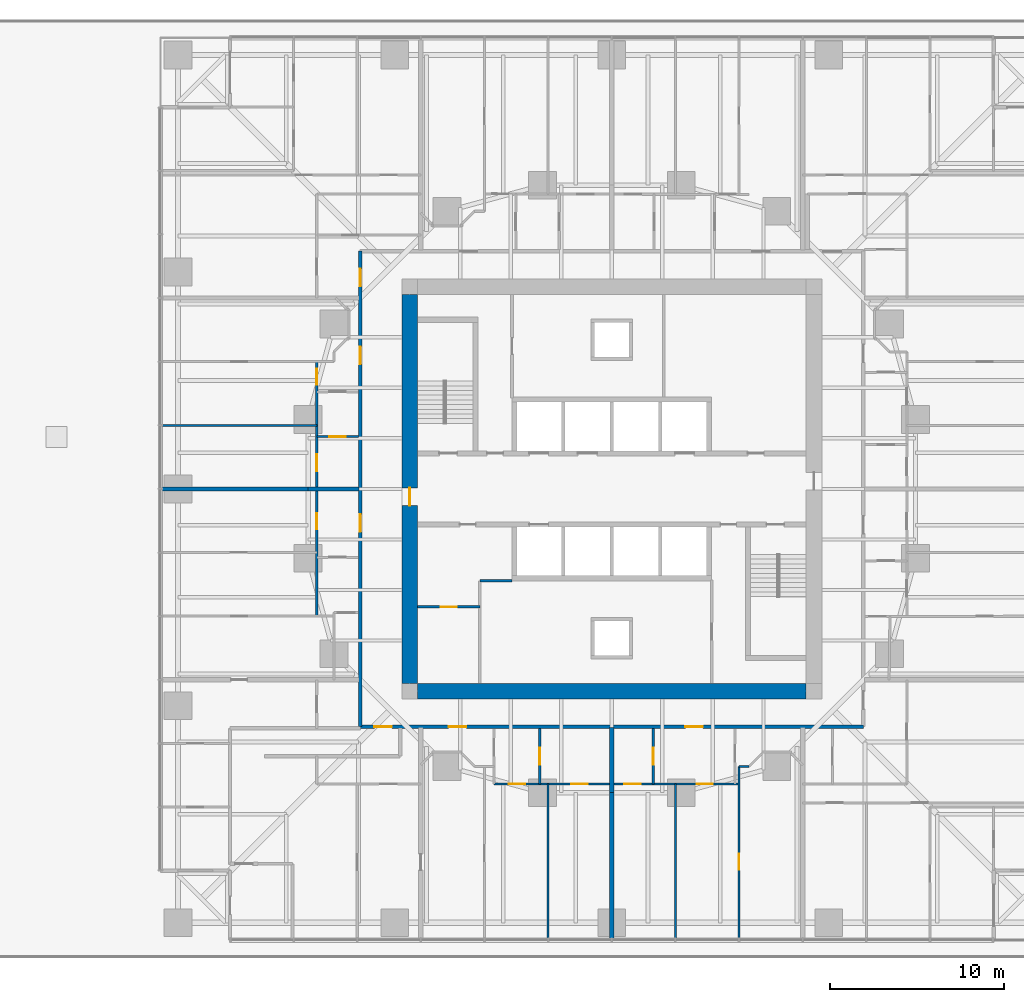
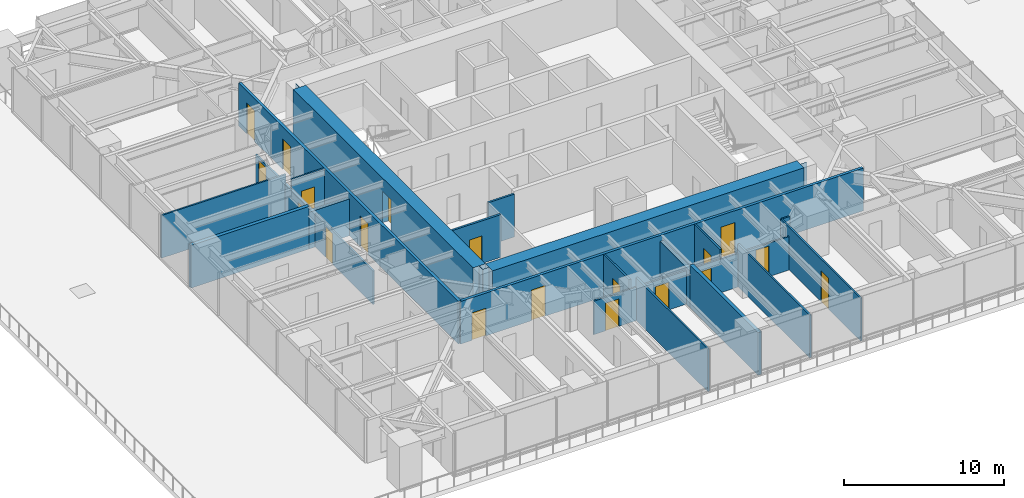
# One storey, part 8 of 15: 20 walls, 19 doors, 19 openings.
"""IFC4 building model written with IfcOpenShell, lengths in metres."""

from ifc_helpers import new_model, si_unit, direction, frame, frame_2d, origin, place, context, subcontext, project, spatial, polyline, rectangle, outline, extrude, material, layer, layer_set, type_object, element, fill, save


model = new_model("IFC4")

# Units and contexts
model_context = context("Model", 3, precision=1e-05, world=origin(), true_north=direction((0.0, 1.0)))
body_context = subcontext(model_context, "Body", "Model", "MODEL_VIEW")
ifc_project = project(units=[si_unit("LENGTHUNIT", "METRE"), si_unit("AREAUNIT", "SQUARE_METRE"), si_unit("VOLUMEUNIT", "CUBIC_METRE"), si_unit("PLANEANGLEUNIT", "RADIAN"), si_unit("MASSUNIT", "GRAM", prefix="KILO")], contexts=[model_context])

# Site, building, storey
site_placement = place(None, origin())
site = spatial("IfcSite", under=ifc_project, at=site_placement, CompositionType="ELEMENT")
building_placement = place(site_placement, origin())
building = spatial("IfcBuilding", under=site, at=building_placement, Name="Torsade Residences", CompositionType="ELEMENT")
storey_placement = place(building_placement, frame((0.0, 0.0, 15.0)))
storey = spatial("IfcBuildingStorey", under=building, at=storey_placement, Name="L03", CompositionType="ELEMENT", Elevation=15.0)

# Wall
ifc_material_1 = material(Name="Concrete 80 MPa", Category="concrete")
ifc_layer_1 = layer(ifc_material_1, 0.89990234375)
ifc_layer_set_1 = layer_set([ifc_layer_1], Name="Concrete 80 MPa")
wall_type_1 = type_object("IfcWallType", Name="CORE WALL 900", PredefinedType="SHEAR", material=ifc_layer_set_1)
wall_1_placement = place(storey_placement, frame((51.199951171875, 18.35009765625, 0.0), z_axis=(0.0, 0.0, 1.0), x_axis=(-1.0, 0.0, 0.0)))
element("IfcWall", 1, at=wall_1_placement, inside=storey, type_object=wall_type_1, Name="Core wall S L03", PredefinedType="SHEAR", context=body_context, shape_type="SweptSolid", body=[
    extrude(outline(polyline([(0.0, -0.449951171875), (22.39990234375, -0.449951171875), (22.39990234375, -0.02490234375), (22.849853515625, -0.02490234375), (22.849853515625, 0.02490234375), (22.39990234375, 0.02490234375), (22.39990234375, 0.449951171875), (0.0, 0.449951171875), (0.0, 0.02490234375), (-0.449951171875, 0.02490234375), (-0.449951171875, -0.02490234375), (0.0, -0.02490234375), (0.0, -0.449951171875)])), origin(), (0.0, 0.0, 1.0), 3.39990234375),
])

# Wall, opening, door
wall_2_placement = place(storey_placement, frame((28.35009765625, 41.199951171875, 0.0), z_axis=(0.0, 0.0, 1.0), x_axis=(0.0, -1.0, 0.0)))
wall_2 = element("IfcWall", 2, at=wall_2_placement, inside=storey, type_object=wall_type_1, Name="Core wall W L03", PredefinedType="SHEAR", context=body_context, shape_type="SweptSolid", body=[
    extrude(outline(polyline([(0.0, -0.449951171875), (22.39990234375, -0.449951171875), (22.39990234375, -0.02490234375), (22.849853515625, -0.02490234375), (22.849853515625, 0.02490234375), (22.39990234375, 0.02490234375), (22.39990234375, 0.449951171875), (0.0, 0.449951171875), (0.0, 0.02490234375), (-0.449951171875, 0.02490234375), (-0.449951171875, -0.02490234375), (0.0, -0.02490234375), (0.0, -0.449951171875)])), origin(), (0.0, 0.0, 1.0), 3.39990234375),
])
opening_1_placement = place(wall_2_placement, frame((11.139892578125, 0.0, 0.0)))
opening_1 = element("IfcOpeningElement", 3, at=opening_1_placement, cuts=wall_2, Name="Opening D04", PredefinedType="OPENING", context=body_context, shape_type="SweptSolid", body=[
    extrude(rectangle(XDim=1.02001953125, YDim=2.39990234375, at=frame_2d((0.510009765625, 1.199951171875))), frame((0.0, 0.4599609375, 0.0), z_axis=(0.0, -1.0, 0.0), x_axis=(1.0, 0.0, 0.0)), (0.0, 0.0, 1.0), 0.919921875),
])
ifc_material_2 = material(Name="Steel-framed fire door", Category="steel")
door_type_1 = type_object("IfcDoorType", Name="LOBBY SMOKE DOOR 1020x2400", OperationType="NOTDEFINED", PredefinedType="DOOR", material=ifc_material_2)
door_1_placement = place(opening_1_placement, origin())
door_1 = element("IfcDoor", 4, at=door_1_placement, inside=storey, type_object=door_type_1, Name="Lift lobby door W L03", OperationType="SINGLE_SWING_RIGHT", OverallHeight=2.39990234375, OverallWidth=1.02001953125, PredefinedType="DOOR", context=body_context, shape_type="SweptSolid", body=[
    extrude(rectangle(XDim=1.02001953125, YDim=2.39990234375, at=frame_2d((0.510009765625, 1.199951171875))), frame((0.0, 0.02490234375, 0.0), z_axis=(0.0, -1.0, 0.0), x_axis=(1.0, 0.0, 0.0)), (0.0, 0.0, 1.0), 0.050048828125),
])
fill(opening_1, door_1)

# Wall, openings, doors
ifc_material_3 = material(Name="Plasterboard on steel stud", Category="steel")
ifc_layer_2 = layer(ifc_material_3, 0.199951171875)
ifc_layer_set_2 = layer_set([ifc_layer_2], Name="Plasterboard on steel stud")
wall_type_2 = type_object("IfcWallType", Name="CORRIDOR WALL 200", PredefinedType="PARTITIONING", material=ifc_layer_set_2)
wall_3_placement = place(storey_placement, frame((25.5, 16.300048828125, 0.0), z_axis=(0.0, 0.0, 1.0), x_axis=(1.0, 0.0, 0.0)))
wall_3 = element("IfcWall", 5, at=wall_3_placement, inside=storey, type_object=wall_type_2, Name="Corridor wall L03", PredefinedType="PARTITIONING", context=body_context, shape_type="SweptSolid", body=[
    extrude(rectangle(XDim=29.0, YDim=0.199951171875, at=frame_2d((14.5, 0.0))), origin(), (0.0, 0.0, 1.0), 3.25),
])
opening_2_placement = place(wall_3_placement, frame((18.734130859375, 0.0, 0.0)))
opening_2 = element("IfcOpeningElement", 6, at=opening_2_placement, cuts=wall_3, Name="Opening D01", PredefinedType="OPENING", context=body_context, shape_type="SweptSolid", body=[
    extrude(rectangle(XDim=1.02001953125, YDim=2.340087890625, at=frame_2d((0.510009765625, 1.169921875))), frame((0.0, 0.10986328125, 0.0), z_axis=(0.0, -1.0, 0.0), x_axis=(1.0, 0.0, 0.0)), (0.0, 0.0, 1.0), 0.219970703125),
])
opening_3_placement = place(wall_3_placement, frame((5.09619140625, 0.0, 0.0)))
opening_3 = element("IfcOpeningElement", 7, at=opening_3_placement, cuts=wall_3, Name="Opening D01", PredefinedType="OPENING", context=body_context, shape_type="SweptSolid", body=[
    extrude(rectangle(XDim=1.02001953125, YDim=2.340087890625, at=frame_2d((0.510009765625, 1.169921875))), frame((0.0, 0.10986328125, 0.0), z_axis=(0.0, -1.0, 0.0), x_axis=(1.0, 0.0, 0.0)), (0.0, 0.0, 1.0), 0.219970703125),
])
opening_4_placement = place(wall_3_placement, frame((0.81494140625, 0.0, 0.0)))
opening_4 = element("IfcOpeningElement", 8, at=opening_4_placement, cuts=wall_3, Name="Opening D03", PredefinedType="OPENING", context=body_context, shape_type="SweptSolid", body=[
    extrude(rectangle(XDim=1.02001953125, YDim=2.10009765625, at=frame_2d((0.510009765625, 1.050048828125))), frame((0.0, 0.10986328125, 0.0), z_axis=(0.0, -1.0, 0.0), x_axis=(1.0, 0.0, 0.0)), (0.0, 0.0, 1.0), 0.219970703125),
])
ifc_material_4 = material(Name="Solid-core timber fire door", Category="wood")
door_type_2 = type_object("IfcDoorType", Name="APARTMENT ENTRY DOOR 1020x2340", OperationType="NOTDEFINED", PredefinedType="DOOR", material=ifc_material_4)
door_2_placement = place(opening_2_placement, origin())
door_2 = element("IfcDoor", 9, at=door_2_placement, inside=storey, type_object=door_type_2, Name="Door Residential corridor to Kitchen and dining", OperationType="SINGLE_SWING_RIGHT", OverallHeight=2.340087890625, OverallWidth=1.02001953125, PredefinedType="DOOR", context=body_context, shape_type="SweptSolid", body=[
    extrude(rectangle(XDim=1.02001953125, YDim=2.340087890625, at=frame_2d((0.510009765625, 1.169921875))), frame((0.0, 0.02490234375, 0.0), z_axis=(0.0, -1.0, 0.0), x_axis=(1.0, 0.0, 0.0)), (0.0, 0.0, 1.0), 0.050048828125),
])
fill(opening_2, door_2)
door_3_placement = place(opening_3_placement, origin())
door_3 = element("IfcDoor", 10, at=door_3_placement, inside=storey, type_object=door_type_2, Name="Door Residential corridor to Kitchen and dining", OperationType="SINGLE_SWING_RIGHT", OverallHeight=2.340087890625, OverallWidth=1.02001953125, PredefinedType="DOOR", context=body_context, shape_type="SweptSolid", body=[
    extrude(rectangle(XDim=1.02001953125, YDim=2.340087890625, at=frame_2d((0.510009765625, 1.169921875))), frame((0.0, 0.02490234375, 0.0), z_axis=(0.0, -1.0, 0.0), x_axis=(1.0, 0.0, 0.0)), (0.0, 0.0, 1.0), 0.050048828125),
])
fill(opening_3, door_3)
ifc_material_5 = material(Name="Steel-framed fire door", Category="steel")
door_type_3 = type_object("IfcDoorType", Name="FIRE DOOR 1020", OperationType="NOTDEFINED", PredefinedType="DOOR", material=ifc_material_5)
door_4_placement = place(opening_4_placement, origin())
door_4 = element("IfcDoor", 11, at=door_4_placement, inside=storey, type_object=door_type_3, Name="Door Residential corridor to Plant access corridor", OperationType="SINGLE_SWING_LEFT", OverallHeight=2.10009765625, OverallWidth=1.02001953125, PredefinedType="DOOR", context=body_context, shape_type="SweptSolid", body=[
    extrude(rectangle(XDim=1.02001953125, YDim=2.10009765625, at=frame_2d((0.510009765625, 1.050048828125))), frame((0.0, 0.02490234375, 0.0), z_axis=(0.0, -1.0, 0.0), x_axis=(1.0, 0.0, 0.0)), (0.0, 0.0, 1.0), 0.050048828125),
])
fill(opening_4, door_4)

wall_4_placement = place(storey_placement, frame((25.5, 43.699951171875, 0.0), z_axis=(0.0, 0.0, 1.0), x_axis=(0.0, -1.0, 0.0)))
wall_4 = element("IfcWall", 12, at=wall_4_placement, inside=storey, type_object=wall_type_2, Name="Corridor wall L03", PredefinedType="PARTITIONING", context=body_context, shape_type="SweptSolid", body=[
    extrude(rectangle(XDim=27.39990234375, YDim=0.199951171875, at=frame_2d((13.699951171875, 0.0))), origin(), (0.0, 0.0, 1.0), 3.25),
])
opening_5_placement = place(wall_4_placement, frame((5.492919921875, 0.0, 0.0)))
opening_5 = element("IfcOpeningElement", 13, at=opening_5_placement, cuts=wall_4, Name="Opening D01", PredefinedType="OPENING", context=body_context, shape_type="SweptSolid", body=[
    extrude(rectangle(XDim=1.02001953125, YDim=2.340087890625, at=frame_2d((0.510009765625, 1.169921875))), frame((0.0, 0.10986328125, 0.0), z_axis=(0.0, -1.0, 0.0), x_axis=(1.0, 0.0, 0.0)), (0.0, 0.0, 1.0), 0.219970703125),
])
opening_6_placement = place(wall_4_placement, frame((15.16015625, 0.0, 0.0)))
opening_6 = element("IfcOpeningElement", 14, at=opening_6_placement, cuts=wall_4, Name="Opening D01", PredefinedType="OPENING", context=body_context, shape_type="SweptSolid", body=[
    extrude(rectangle(XDim=1.02001953125, YDim=2.340087890625, at=frame_2d((0.510009765625, 1.169921875))), frame((0.0, 0.10986328125, 0.0), z_axis=(0.0, -1.0, 0.0), x_axis=(1.0, 0.0, 0.0)), (0.0, 0.0, 1.0), 0.219970703125),
])
opening_7_placement = place(wall_4_placement, frame((1.014892578125, 0.0, 0.0)))
opening_7 = element("IfcOpeningElement", 15, at=opening_7_placement, cuts=wall_4, Name="Opening D01", PredefinedType="OPENING", context=body_context, shape_type="SweptSolid", body=[
    extrude(rectangle(XDim=1.02001953125, YDim=2.340087890625, at=frame_2d((0.510009765625, 1.169921875))), frame((0.0, 0.10986328125, 0.0), z_axis=(0.0, -1.0, 0.0), x_axis=(1.0, 0.0, 0.0)), (0.0, 0.0, 1.0), 0.219970703125),
])
door_5_placement = place(opening_5_placement, origin())
door_5 = element("IfcDoor", 16, at=door_5_placement, inside=storey, type_object=door_type_2, Name="Door Residential corridor to Kitchen and dining", OperationType="SINGLE_SWING_RIGHT", OverallHeight=2.340087890625, OverallWidth=1.02001953125, PredefinedType="DOOR", context=body_context, shape_type="SweptSolid", body=[
    extrude(rectangle(XDim=1.02001953125, YDim=2.340087890625, at=frame_2d((0.510009765625, 1.169921875))), frame((0.0, 0.02490234375, 0.0), z_axis=(0.0, -1.0, 0.0), x_axis=(1.0, 0.0, 0.0)), (0.0, 0.0, 1.0), 0.050048828125),
])
fill(opening_5, door_5)
door_6_placement = place(opening_6_placement, origin())
door_6 = element("IfcDoor", 17, at=door_6_placement, inside=storey, type_object=door_type_2, Name="Door Residential corridor to Kitchen and dining", OperationType="SINGLE_SWING_RIGHT", OverallHeight=2.340087890625, OverallWidth=1.02001953125, PredefinedType="DOOR", context=body_context, shape_type="SweptSolid", body=[
    extrude(rectangle(XDim=1.02001953125, YDim=2.340087890625, at=frame_2d((0.510009765625, 1.169921875))), frame((0.0, 0.02490234375, 0.0), z_axis=(0.0, -1.0, 0.0), x_axis=(1.0, 0.0, 0.0)), (0.0, 0.0, 1.0), 0.050048828125),
])
fill(opening_6, door_6)
door_7_placement = place(opening_7_placement, origin())
door_7 = element("IfcDoor", 18, at=door_7_placement, inside=storey, type_object=door_type_2, Name="Door Residential corridor to Kitchen and dining", OperationType="SINGLE_SWING_LEFT", OverallHeight=2.340087890625, OverallWidth=1.02001953125, PredefinedType="DOOR", context=body_context, shape_type="SweptSolid", body=[
    extrude(rectangle(XDim=1.02001953125, YDim=2.340087890625, at=frame_2d((0.510009765625, 1.169921875))), frame((0.0, 0.02490234375, 0.0), z_axis=(0.0, -1.0, 0.0), x_axis=(1.0, 0.0, 0.0)), (0.0, 0.0, 1.0), 0.050048828125),
])
fill(opening_7, door_7)

ifc_material_6 = material(Name="Plasterboard on steel stud", Category="steel")
ifc_layer_3 = layer(ifc_material_6, 0.1201171875)
ifc_layer_set_3 = layer_set([ifc_layer_3], Name="Plasterboard on steel stud")
wall_type_3 = type_object("IfcWallType", Name="PARTITION 120", PredefinedType="PARTITIONING", material=ifc_layer_set_3)
wall_5_placement = place(storey_placement, frame((23.0, 22.666748046875, 0.0), z_axis=(0.0, 0.0, 1.0), x_axis=(0.0, 1.0, 0.0)))
wall_5 = element("IfcWall", 19, at=wall_5_placement, inside=storey, type_object=wall_type_3, Name="Partition L03", PredefinedType="PARTITIONING", context=body_context, shape_type="SweptSolid", body=[
    extrude(rectangle(XDim=14.66650390625, YDim=0.1201171875, at=frame_2d((7.333251953125, 0.0))), origin(), (0.0, 0.0, 1.0), 2.549072265625),
])
opening_8_placement = place(wall_5_placement, frame((13.337158203125, 0.0, 0.0)))
opening_8 = element("IfcOpeningElement", 20, at=opening_8_placement, cuts=wall_5, Name="Opening D02", PredefinedType="OPENING", context=body_context, shape_type="SweptSolid", body=[
    extrude(rectangle(XDim=0.919921875, YDim=2.340087890625, at=frame_2d((0.4599609375, 1.169921875))), frame((0.0, 0.070068359375, 0.0), z_axis=(0.0, -1.0, 0.0), x_axis=(1.0, 0.0, 0.0)), (0.0, 0.0, 1.0), 0.14013671875),
])
opening_9_placement = place(wall_5_placement, frame((5.014892578125, 0.0, 0.0)))
opening_9 = element("IfcOpeningElement", 21, at=opening_9_placement, cuts=wall_5, Name="Opening D02", PredefinedType="OPENING", context=body_context, shape_type="SweptSolid", body=[
    extrude(rectangle(XDim=0.919921875, YDim=2.340087890625, at=frame_2d((0.4599609375, 1.169921875))), frame((0.0, 0.070068359375, 0.0), z_axis=(0.0, -1.0, 0.0), x_axis=(1.0, 0.0, 0.0)), (0.0, 0.0, 1.0), 0.14013671875),
])
opening_10_placement = place(wall_5_placement, frame((8.36181640625, 0.0, 0.0)))
opening_10 = element("IfcOpeningElement", 22, at=opening_10_placement, cuts=wall_5, Name="Opening D05", PredefinedType="OPENING", context=body_context, shape_type="SweptSolid", body=[
    extrude(rectangle(XDim=0.9599609375, YDim=2.10009765625, at=frame_2d((0.47998046875, 1.050048828125))), frame((0.0, 0.070068359375, 0.0), z_axis=(0.0, -1.0, 0.0), x_axis=(1.0, 0.0, 0.0)), (0.0, 0.0, 1.0), 0.14013671875),
])
ifc_material_7 = material(Name="Hollow-core timber door in a steel cavity frame", Category="steel")
door_type_4 = type_object("IfcDoorType", Name="BATHROOM CAVITY SLIDING DOOR 960", OperationType="SLIDING_TO_LEFT", PredefinedType="DOOR", material=ifc_material_7)
door_8_placement = place(opening_10_placement, origin())
door_8 = element("IfcDoor", 23, at=door_8_placement, inside=storey, type_object=door_type_4, Name="Door Bathroom to Bedroom 1", OperationType="SLIDING_TO_LEFT", OverallHeight=2.10009765625, OverallWidth=0.9599609375, PredefinedType="DOOR", context=body_context, shape_type="SweptSolid", body=[
    extrude(rectangle(XDim=0.9599609375, YDim=2.10009765625, at=frame_2d((0.47998046875, 1.050048828125))), frame((0.0, 0.02490234375, 0.0), z_axis=(0.0, -1.0, 0.0), x_axis=(1.0, 0.0, 0.0)), (0.0, 0.0, 1.0), 0.050048828125),
])
fill(opening_10, door_8)
ifc_material_8 = material(Name="Hollow-core timber door", Category="wood")
door_type_5 = type_object("IfcDoorType", Name="INTERNAL DOOR 920x2340", OperationType="NOTDEFINED", PredefinedType="DOOR", material=ifc_material_8)
door_9_placement = place(opening_8_placement, origin())
door_9 = element("IfcDoor", 24, at=door_9_placement, inside=storey, type_object=door_type_5, Name="Door Kitchen and dining to Bedroom 2", OperationType="SINGLE_SWING_RIGHT", OverallHeight=2.340087890625, OverallWidth=0.919921875, PredefinedType="DOOR", context=body_context, shape_type="SweptSolid", body=[
    extrude(rectangle(XDim=0.919921875, YDim=2.340087890625, at=frame_2d((0.4599609375, 1.169921875))), frame((0.0, 0.02490234375, 0.0), z_axis=(0.0, -1.0, 0.0), x_axis=(1.0, 0.0, 0.0)), (0.0, 0.0, 1.0), 0.050048828125),
])
fill(opening_8, door_9)
door_10_placement = place(opening_9_placement, origin())
door_10 = element("IfcDoor", 25, at=door_10_placement, inside=storey, type_object=door_type_5, Name="Door Kitchen and dining to Living room", OperationType="SINGLE_SWING_LEFT", OverallHeight=2.340087890625, OverallWidth=0.919921875, PredefinedType="DOOR", context=body_context, shape_type="SweptSolid", body=[
    extrude(rectangle(XDim=0.919921875, YDim=2.340087890625, at=frame_2d((0.4599609375, 1.169921875))), frame((0.0, 0.02490234375, 0.0), z_axis=(0.0, -1.0, 0.0), x_axis=(1.0, 0.0, 0.0)), (0.0, 0.0, 1.0), 0.050048828125),
])
fill(opening_9, door_10)

# Wall, opening, door
wall_6_placement = place(storey_placement, frame((35.851318359375, 13.0, 0.0), z_axis=(0.0, 0.0, 1.0), x_axis=(0.0, 1.0, 0.0)))
wall_6 = element("IfcWall", 26, at=wall_6_placement, inside=storey, type_object=wall_type_3, Name="Partition L03", PredefinedType="PARTITIONING", context=body_context, shape_type="SweptSolid", body=[
    extrude(rectangle(XDim=3.199951171875, YDim=0.1201171875, at=frame_2d((1.60009765625, 0.0))), origin(), (0.0, 0.0, 1.0), 3.25),
])
opening_11_placement = place(wall_6_placement, frame((1.1201171875, 0.0, 0.0)))
opening_11 = element("IfcOpeningElement", 27, at=opening_11_placement, cuts=wall_6, Name="Opening D05", PredefinedType="OPENING", context=body_context, shape_type="SweptSolid", body=[
    extrude(rectangle(XDim=0.9599609375, YDim=2.10009765625, at=frame_2d((0.47998046875, 1.050048828125))), frame((0.0, 0.070068359375, 0.0), z_axis=(0.0, -1.0, 0.0), x_axis=(1.0, 0.0, 0.0)), (0.0, 0.0, 1.0), 0.14013671875),
])
door_11_placement = place(opening_11_placement, origin())
door_11 = element("IfcDoor", 28, at=door_11_placement, inside=storey, type_object=door_type_4, Name="Door Ensuite to Bathroom", OperationType="SLIDING_TO_LEFT", OverallHeight=2.10009765625, OverallWidth=0.9599609375, PredefinedType="DOOR", context=body_context, shape_type="SweptSolid", body=[
    extrude(rectangle(XDim=0.9599609375, YDim=2.10009765625, at=frame_2d((0.47998046875, 1.050048828125))), frame((0.0, 0.02490234375, 0.0), z_axis=(0.0, -1.0, 0.0), x_axis=(1.0, 0.0, 0.0)), (0.0, 0.0, 1.0), 0.050048828125),
])
fill(opening_11, door_11)

# Wall, openings, doors
wall_7_placement = place(storey_placement, frame((47.333251953125, 13.0, 0.0), z_axis=(0.0, 0.0, 1.0), x_axis=(-1.0, 0.0, 0.0)))
wall_7 = element("IfcWall", 29, at=wall_7_placement, inside=storey, type_object=wall_type_3, Name="Partition L03", PredefinedType="PARTITIONING", context=body_context, shape_type="SweptSolid", body=[
    extrude(rectangle(XDim=14.120849609375, YDim=0.1201171875, at=frame_2d((7.060546875, 0.0))), origin(), (0.0, 0.0, 1.0), 2.549072265625),
])
opening_12_placement = place(wall_7_placement, frame((1.51611328125, 0.0, 0.0)))
opening_12 = element("IfcOpeningElement", 30, at=opening_12_placement, cuts=wall_7, Name="Opening D02", PredefinedType="OPENING", context=body_context, shape_type="SweptSolid", body=[
    extrude(rectangle(XDim=0.919921875, YDim=2.340087890625, at=frame_2d((0.4599609375, 1.169921875))), frame((0.0, 0.070068359375, 0.0), z_axis=(0.0, -1.0, 0.0), x_axis=(1.0, 0.0, 0.0)), (0.0, 0.0, 1.0), 0.14013671875),
])
opening_13_placement = place(wall_7_placement, frame((5.657958984375, 0.0, 0.0)))
opening_13 = element("IfcOpeningElement", 31, at=opening_13_placement, cuts=wall_7, Name="Opening D05", PredefinedType="OPENING", context=body_context, shape_type="SweptSolid", body=[
    extrude(rectangle(XDim=0.9599609375, YDim=2.10009765625, at=frame_2d((0.47998046875, 1.050048828125))), frame((0.0, 0.070068359375, 0.0), z_axis=(0.0, -1.0, 0.0), x_axis=(1.0, 0.0, 0.0)), (0.0, 0.0, 1.0), 0.14013671875),
])
opening_14_placement = place(wall_7_placement, frame((12.321533203125, 0.0, 0.0)))
opening_14 = element("IfcOpeningElement", 32, at=opening_14_placement, cuts=wall_7, Name="Opening D05", PredefinedType="OPENING", context=body_context, shape_type="SweptSolid", body=[
    extrude(rectangle(XDim=0.9599609375, YDim=2.10009765625, at=frame_2d((0.47998046875, 1.050048828125))), frame((0.0, 0.070068359375, 0.0), z_axis=(0.0, -1.0, 0.0), x_axis=(1.0, 0.0, 0.0)), (0.0, 0.0, 1.0), 0.14013671875),
])
opening_15_placement = place(wall_7_placement, frame((8.711669921875, 0.0, 0.0)))
opening_15 = element("IfcOpeningElement", 33, at=opening_15_placement, cuts=wall_7, Name="Opening D05", PredefinedType="OPENING", context=body_context, shape_type="SweptSolid", body=[
    extrude(rectangle(XDim=0.9599609375, YDim=2.10009765625, at=frame_2d((0.47998046875, 1.050048828125))), frame((0.0, 0.070068359375, 0.0), z_axis=(0.0, -1.0, 0.0), x_axis=(1.0, 0.0, 0.0)), (0.0, 0.0, 1.0), 0.14013671875),
])
door_12_placement = place(opening_13_placement, origin())
door_12 = element("IfcDoor", 34, at=door_12_placement, inside=storey, type_object=door_type_4, Name="Door Ensuite to Living room", OperationType="SLIDING_TO_LEFT", OverallHeight=2.10009765625, OverallWidth=0.9599609375, PredefinedType="DOOR", context=body_context, shape_type="SweptSolid", body=[
    extrude(rectangle(XDim=0.9599609375, YDim=2.10009765625, at=frame_2d((0.47998046875, 1.050048828125))), frame((0.0, 0.02490234375, 0.0), z_axis=(0.0, -1.0, 0.0), x_axis=(1.0, 0.0, 0.0)), (0.0, 0.0, 1.0), 0.050048828125),
])
fill(opening_13, door_12)
door_13_placement = place(opening_14_placement, origin())
door_13 = element("IfcDoor", 35, at=door_13_placement, inside=storey, type_object=door_type_4, Name="Door Ensuite to Bedroom 2", OperationType="SLIDING_TO_LEFT", OverallHeight=2.10009765625, OverallWidth=0.9599609375, PredefinedType="DOOR", context=body_context, shape_type="SweptSolid", body=[
    extrude(rectangle(XDim=0.9599609375, YDim=2.10009765625, at=frame_2d((0.47998046875, 1.050048828125))), frame((0.0, 0.02490234375, 0.0), z_axis=(0.0, -1.0, 0.0), x_axis=(1.0, 0.0, 0.0)), (0.0, 0.0, 1.0), 0.050048828125),
])
fill(opening_14, door_13)
door_14_placement = place(opening_15_placement, origin())
door_14 = element("IfcDoor", 36, at=door_14_placement, inside=storey, type_object=door_type_4, Name="Door Bathroom to Bedroom 1", OperationType="SLIDING_TO_LEFT", OverallHeight=2.10009765625, OverallWidth=0.9599609375, PredefinedType="DOOR", context=body_context, shape_type="SweptSolid", body=[
    extrude(rectangle(XDim=0.9599609375, YDim=2.10009765625, at=frame_2d((0.47998046875, 1.050048828125))), frame((0.0, 0.02490234375, 0.0), z_axis=(0.0, -1.0, 0.0), x_axis=(1.0, 0.0, 0.0)), (0.0, 0.0, 1.0), 0.050048828125),
])
fill(opening_15, door_14)
door_15_placement = place(opening_12_placement, origin())
door_15 = element("IfcDoor", 37, at=door_15_placement, inside=storey, type_object=door_type_5, Name="Door Kitchen and dining to Bedroom 2", OperationType="SINGLE_SWING_RIGHT", OverallHeight=2.340087890625, OverallWidth=0.919921875, PredefinedType="DOOR", context=body_context, shape_type="SweptSolid", body=[
    extrude(rectangle(XDim=0.919921875, YDim=2.340087890625, at=frame_2d((0.4599609375, 1.169921875))), frame((0.0, 0.02490234375, 0.0), z_axis=(0.0, -1.0, 0.0), x_axis=(1.0, 0.0, 0.0)), (0.0, 0.0, 1.0), 0.050048828125),
])
fill(opening_12, door_15)

# Wall
wall_8_placement = place(storey_placement, frame((36.333251953125, 4.0400390625, 0.0), z_axis=(0.0, 0.0, 1.0), x_axis=(0.0, 1.0, 0.0)))
element("IfcWall", 38, at=wall_8_placement, inside=storey, type_object=wall_type_3, Name="Partition L03", PredefinedType="PARTITIONING", context=body_context, shape_type="SweptSolid", body=[
    extrude(rectangle(XDim=8.9599609375, YDim=0.1201171875, at=frame_2d((4.47998046875, 0.0))), origin(), (0.0, 0.0, 1.0), 3.25),
])

# Wall, opening, door
wall_9_placement = place(storey_placement, frame((42.390869140625, 13.0, 0.0), z_axis=(0.0, 0.0, 1.0), x_axis=(0.0, 1.0, 0.0)))
wall_9 = element("IfcWall", 39, at=wall_9_placement, inside=storey, type_object=wall_type_3, Name="Partition L03", PredefinedType="PARTITIONING", context=body_context, shape_type="SweptSolid", body=[
    extrude(rectangle(XDim=3.199951171875, YDim=0.1201171875, at=frame_2d((1.60009765625, 0.0))), origin(), (0.0, 0.0, 1.0), 3.25),
])
opening_16_placement = place(wall_9_placement, frame((1.1201171875, 0.0, 0.0)))
opening_16 = element("IfcOpeningElement", 40, at=opening_16_placement, cuts=wall_9, Name="Opening D05", PredefinedType="OPENING", context=body_context, shape_type="SweptSolid", body=[
    extrude(rectangle(XDim=0.9599609375, YDim=2.10009765625, at=frame_2d((0.47998046875, 1.050048828125))), frame((0.0, 0.070068359375, 0.0), z_axis=(0.0, -1.0, 0.0), x_axis=(1.0, 0.0, 0.0)), (0.0, 0.0, 1.0), 0.14013671875),
])
door_16_placement = place(opening_16_placement, origin())
door_16 = element("IfcDoor", 41, at=door_16_placement, inside=storey, type_object=door_type_4, Name="Door Kitchen and dining to Ensuite", OperationType="SLIDING_TO_LEFT", OverallHeight=2.10009765625, OverallWidth=0.9599609375, PredefinedType="DOOR", context=body_context, shape_type="SweptSolid", body=[
    extrude(rectangle(XDim=0.9599609375, YDim=2.10009765625, at=frame_2d((0.47998046875, 1.050048828125))), frame((0.0, 0.02490234375, 0.0), z_axis=(0.0, -1.0, 0.0), x_axis=(1.0, 0.0, 0.0)), (0.0, 0.0, 1.0), 0.050048828125),
])
fill(opening_16, door_16)

# Wall
wall_10_placement = place(storey_placement, frame((47.89990234375, 14.0, 0.0), z_axis=(0.0, 0.0, 1.0), x_axis=(-1.0, 0.0, 0.0)))
element("IfcWall", 42, at=wall_10_placement, inside=storey, type_object=wall_type_3, Name="Partition L03", PredefinedType="PARTITIONING", context=body_context, shape_type="SweptSolid", body=[
    extrude(rectangle(XDim=0.566650390625, YDim=0.1201171875, at=frame_2d((0.283203125, 0.0))), origin(), (0.0, 0.0, 1.0), 3.25),
])

# Wall, opening, door
wall_11_placement = place(storey_placement, frame((47.333251953125, 14.0, 0.0), z_axis=(0.0, 0.0, 1.0), x_axis=(0.0, -1.0, 0.0)))
wall_11 = element("IfcWall", 43, at=wall_11_placement, inside=storey, type_object=wall_type_3, Name="Partition L03", PredefinedType="PARTITIONING", context=body_context, shape_type="SweptSolid", body=[
    extrude(rectangle(XDim=9.9599609375, YDim=0.1201171875, at=frame_2d((4.97998046875, 0.0))), origin(), (0.0, 0.0, 1.0), 3.25),
])
opening_17_placement = place(wall_11_placement, frame((5.014892578125, 0.0, 0.0)))
opening_17 = element("IfcOpeningElement", 44, at=opening_17_placement, cuts=wall_11, Name="Opening D02", PredefinedType="OPENING", context=body_context, shape_type="SweptSolid", body=[
    extrude(rectangle(XDim=0.919921875, YDim=2.340087890625, at=frame_2d((0.4599609375, 1.169921875))), frame((0.0, 0.070068359375, 0.0), z_axis=(0.0, -1.0, 0.0), x_axis=(1.0, 0.0, 0.0)), (0.0, 0.0, 1.0), 0.14013671875),
])
door_17_placement = place(opening_17_placement, origin())
door_17 = element("IfcDoor", 45, at=door_17_placement, inside=storey, type_object=door_type_5, Name="Door Bedroom 2 to Bedroom 1", OperationType="SINGLE_SWING_RIGHT", OverallHeight=2.340087890625, OverallWidth=0.919921875, PredefinedType="DOOR", context=body_context, shape_type="SweptSolid", body=[
    extrude(rectangle(XDim=0.919921875, YDim=2.340087890625, at=frame_2d((0.4599609375, 1.169921875))), frame((0.0, 0.02490234375, 0.0), z_axis=(0.0, -1.0, 0.0), x_axis=(1.0, 0.0, 0.0)), (0.0, 0.0, 1.0), 0.050048828125),
])
fill(opening_17, door_17)

# Wall
wall_12_placement = place(storey_placement, frame((43.666748046875, 13.0, 0.0), z_axis=(0.0, 0.0, 1.0), x_axis=(0.0, -1.0, 0.0)))
element("IfcWall", 46, at=wall_12_placement, inside=storey, type_object=wall_type_3, Name="Partition L03", PredefinedType="PARTITIONING", context=body_context, shape_type="SweptSolid", body=[
    extrude(rectangle(XDim=8.9599609375, YDim=0.1201171875, at=frame_2d((4.47998046875, 0.0))), origin(), (0.0, 0.0, 1.0), 3.25),
])

# Wall, opening, door
wall_13_placement = place(storey_placement, frame((23.0, 33.016845703125, 0.0), z_axis=(0.0, 0.0, 1.0), x_axis=(1.0, 0.0, 0.0)))
wall_13 = element("IfcWall", 47, at=wall_13_placement, inside=storey, type_object=wall_type_3, Name="Partition L03", PredefinedType="PARTITIONING", context=body_context, shape_type="SweptSolid", body=[
    extrude(rectangle(XDim=2.39990234375, YDim=0.1201171875, at=frame_2d((1.199951171875, 0.0))), origin(), (0.0, 0.0, 1.0), 3.25),
])
opening_18_placement = place(wall_13_placement, frame((0.719970703125, 0.0, 0.0)))
opening_18 = element("IfcOpeningElement", 48, at=opening_18_placement, cuts=wall_13, Name="Opening D05", PredefinedType="OPENING", context=body_context, shape_type="SweptSolid", body=[
    extrude(rectangle(XDim=0.9599609375, YDim=2.10009765625, at=frame_2d((0.47998046875, 1.050048828125))), frame((0.0, 0.070068359375, 0.0), z_axis=(0.0, -1.0, 0.0), x_axis=(1.0, 0.0, 0.0)), (0.0, 0.0, 1.0), 0.14013671875),
])
door_18_placement = place(opening_18_placement, origin())
door_18 = element("IfcDoor", 49, at=door_18_placement, inside=storey, type_object=door_type_4, Name="Door Ensuite to Bathroom", OperationType="SLIDING_TO_LEFT", OverallHeight=2.10009765625, OverallWidth=0.9599609375, PredefinedType="DOOR", context=body_context, shape_type="SweptSolid", body=[
    extrude(rectangle(XDim=0.9599609375, YDim=2.10009765625, at=frame_2d((0.47998046875, 1.050048828125))), frame((0.0, 0.02490234375, 0.0), z_axis=(0.0, -1.0, 0.0), x_axis=(1.0, 0.0, 0.0)), (0.0, 0.0, 1.0), 0.050048828125),
])
fill(opening_18, door_18)

# Walls
wall_14_placement = place(storey_placement, frame((14.0400390625, 33.666748046875, 0.0), z_axis=(0.0, 0.0, 1.0), x_axis=(1.0, 0.0, 0.0)))
element("IfcWall", 50, at=wall_14_placement, inside=storey, type_object=wall_type_3, Name="Partition L03", PredefinedType="PARTITIONING", context=body_context, shape_type="SweptSolid", body=[
    extrude(rectangle(XDim=8.9599609375, YDim=0.1201171875, at=frame_2d((4.47998046875, 0.0))), origin(), (0.0, 0.0, 1.0), 3.25),
])
ifc_material_9 = material(Name="Masonry-lined stud party wall", Category="masonry")
ifc_layer_4 = layer(ifc_material_9, 0.25)
ifc_layer_set_4 = layer_set([ifc_layer_4], Name="Masonry-lined stud party wall")
wall_type_4 = type_object("IfcWallType", Name="PARTY WALL 250", PredefinedType="PARTITIONING", material=ifc_layer_set_4)
wall_15_placement = place(storey_placement, frame((40.0, 4.0, 0.0), z_axis=(0.0, 0.0, 1.0), x_axis=(0.0, 1.0, 0.0)))
element("IfcWall", 51, at=wall_15_placement, inside=storey, type_object=wall_type_4, Name="Party wall L03", PredefinedType="PARTITIONING", context=body_context, shape_type="SweptSolid", body=[
    extrude(rectangle(XDim=8.5, YDim=0.25, at=frame_2d((4.25, 0.0))), origin(), (0.0, 0.0, 1.0), 3.25),
])
wall_16_placement = place(storey_placement, frame((40.0, 12.5, 0.0), z_axis=(0.0, 0.0, 1.0), x_axis=(0.0, 1.0, 0.0)))
element("IfcWall", 52, at=wall_16_placement, inside=storey, type_object=wall_type_4, Name="Party wall L03", PredefinedType="PARTITIONING", context=body_context, shape_type="SweptSolid", body=[
    extrude(rectangle(XDim=3.739990234375, YDim=0.25, at=frame_2d((1.8701171875, 0.0))), origin(), (0.0, 0.0, 1.0), 2.7958984375),
])
wall_17_placement = place(storey_placement, frame((14.0, 30.0, 0.0), z_axis=(0.0, 0.0, 1.0), x_axis=(1.0, 0.0, 0.0)))
element("IfcWall", 53, at=wall_17_placement, inside=storey, type_object=wall_type_4, Name="Party wall L03", PredefinedType="PARTITIONING", context=body_context, shape_type="SweptSolid", body=[
    extrude(rectangle(XDim=8.5, YDim=0.25, at=frame_2d((4.25, 0.0))), origin(), (0.0, 0.0, 1.0), 3.25),
])
wall_18_placement = place(storey_placement, frame((22.5, 30.0, 0.0), z_axis=(0.0, 0.0, 1.0), x_axis=(1.0, 0.0, 0.0)))
element("IfcWall", 54, at=wall_18_placement, inside=storey, type_object=wall_type_4, Name="Party wall L03", PredefinedType="PARTITIONING", context=body_context, shape_type="SweptSolid", body=[
    extrude(rectangle(XDim=2.93994140625, YDim=0.25, at=frame_2d((1.469970703125, 0.0))), origin(), (0.0, 0.0, 1.0), 2.7958984375),
])
ifc_material_10 = material(Name="Reinforced blockwork", Category="masonry")
ifc_layer_5 = layer(ifc_material_10, 0.14990234375)
ifc_layer_set_5 = layer_set([ifc_layer_5], Name="Reinforced blockwork")
wall_type_5 = type_object("IfcWallType", Name="SERVICE ROOM WALL 150", PredefinedType="SOLIDWALL", material=ifc_layer_set_5)
wall_19_placement = place(storey_placement, frame((32.39990234375, 24.699951171875, 0.0), z_axis=(0.0, 0.0, 1.0), x_axis=(1.0, 0.0, 0.0)))
element("IfcWall", 55, at=wall_19_placement, inside=storey, type_object=wall_type_5, Name="Service room wall L03", PredefinedType="SOLIDWALL", context=body_context, shape_type="SweptSolid", body=[
    extrude(rectangle(XDim=1.85009765625, YDim=0.14990234375, at=frame_2d((0.925048828125, 0.0))), origin(), (0.0, 0.0, 1.0), 3.25),
])

# Wall, opening, door
wall_20_placement = place(storey_placement, frame((32.39990234375, 23.199951171875, 0.0), z_axis=(0.0, 0.0, 1.0), x_axis=(-1.0, 0.0, 0.0)))
wall_20 = element("IfcWall", 56, at=wall_20_placement, inside=storey, type_object=wall_type_5, Name="Service room wall L03", PredefinedType="SOLIDWALL", context=body_context, shape_type="SweptSolid", body=[
    extrude(rectangle(XDim=3.599853515625, YDim=0.14990234375, at=frame_2d((1.7998046875, 0.0))), origin(), (0.0, 0.0, 1.0), 3.25),
])
opening_19_placement = place(wall_20_placement, frame((1.340087890625, 0.0, 0.0)))
opening_19 = element("IfcOpeningElement", 57, at=opening_19_placement, cuts=wall_20, Name="Opening D06", PredefinedType="OPENING", context=body_context, shape_type="SweptSolid", body=[
    extrude(rectangle(XDim=0.919921875, YDim=2.10009765625, at=frame_2d((0.4599609375, 1.050048828125))), frame((0.0, 0.0849609375, 0.0), z_axis=(0.0, -1.0, 0.0), x_axis=(1.0, 0.0, 0.0)), (0.0, 0.0, 1.0), 0.169921875),
])
ifc_material_11 = material(Name="Steel-framed fire door", Category="steel")
door_type_6 = type_object("IfcDoorType", Name="FIRE DOOR 920", OperationType="NOTDEFINED", PredefinedType="DOOR", material=ifc_material_11)
door_19_placement = place(opening_19_placement, origin())
door_19 = element("IfcDoor", 58, at=door_19_placement, inside=storey, type_object=door_type_6, Name="Door Cleaner store to Sprinkler valve room", OperationType="SINGLE_SWING_LEFT", OverallHeight=2.10009765625, OverallWidth=0.919921875, PredefinedType="DOOR", context=body_context, shape_type="SweptSolid", body=[
    extrude(rectangle(XDim=0.919921875, YDim=2.10009765625, at=frame_2d((0.4599609375, 1.050048828125))), frame((0.0, 0.02490234375, 0.0), z_axis=(0.0, -1.0, 0.0), x_axis=(1.0, 0.0, 0.0)), (0.0, 0.0, 1.0), 0.050048828125),
])
fill(opening_19, door_19)

save(model, "model.ifc")
